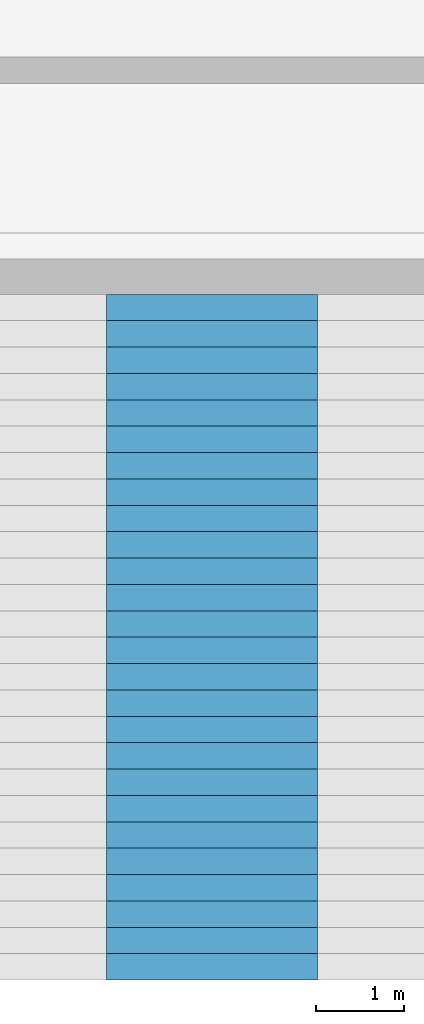
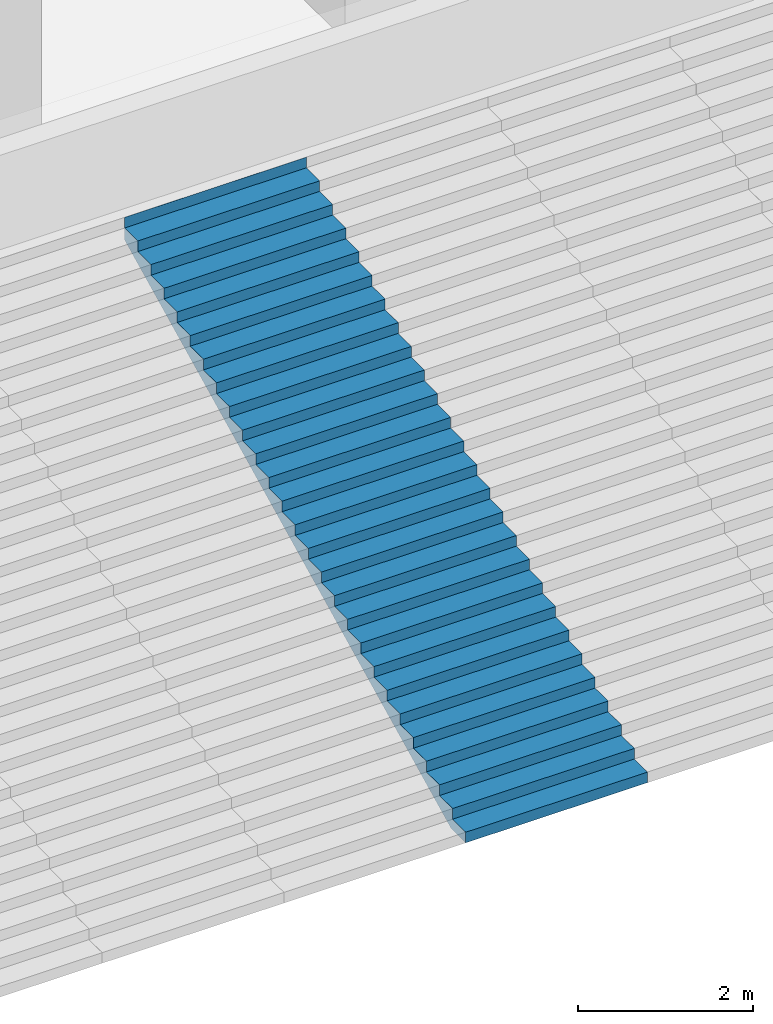
# One storey, part 26 of 45: 1 stair flight, 1 element without a shape of its own.
"""IFC4 building model written with IfcOpenShell, lengths in metres."""

from ifc_helpers import new_model, si_unit, direction, frame, origin, place, context, subcontext, project, spatial, triangles, material, type_object, element, aggregate, save


model = new_model("IFC4")

# Units and contexts
model_context = context("Model", 3, precision=1e-05, world=origin(), true_north=direction((0.0, 1.0)))
body_context = subcontext(model_context, "Body", "Model", "MODEL_VIEW")
ifc_project = project(units=[si_unit("LENGTHUNIT", "METRE"), si_unit("AREAUNIT", "SQUARE_METRE"), si_unit("VOLUMEUNIT", "CUBIC_METRE"), si_unit("PLANEANGLEUNIT", "RADIAN"), si_unit("MASSUNIT", "GRAM", prefix="KILO")], contexts=[model_context])

# Site, building, storey
site_placement = place(None, origin())
site = spatial("IfcSite", under=ifc_project, at=site_placement, CompositionType="ELEMENT")
building_placement = place(site_placement, origin())
building = spatial("IfcBuilding", under=site, at=building_placement, Name="Beryl Residences", CompositionType="ELEMENT")
storey_placement = place(building_placement, frame((0.0, 0.0, 5.0)))
storey = spatial("IfcBuildingStorey", under=building, at=storey_placement, Name="L01", CompositionType="ELEMENT", Elevation=5.0)

# Stair, stair flight
ifc_material_1 = material(Name="Precast concrete C40/50", Category="concrete")
stair_type = type_object("IfcStairType", Name="GS2 garden stair", PredefinedType="STRAIGHT_RUN_STAIR", material=ifc_material_1)
stair_placement = place(storey_placement, origin())
stair = element("IfcStair", 1, at=stair_placement, inside=storey, type_object=stair_type, Name="GS2 garden stair", PredefinedType="STRAIGHT_RUN_STAIR")
ifc_material_2 = material(Name="Precast concrete C40/50", Category="concrete")
stair_flight_type = type_object("IfcStairFlightType", Name="GF2 garden stair flight", PredefinedType="STRAIGHT", material=ifc_material_2)
stair_flight_placement = place(storey_placement, frame((-3.60009765625, -42.199951171875, 0.0), z_axis=(0.0, 0.0, 1.0), x_axis=(0.0, 1.0, 0.0)))
stair_flight = element("IfcStairFlight", 2, at=stair_flight_placement, type_object=stair_flight_type, Name="GS2 flight 4", NumberOfRisers=27, NumberOfTreads=26, PredefinedType="STRAIGHT", RiserHeight=0.148148148, TreadLength=0.3, context=body_context, shape_type="Tessellation", body=[
    triangles([(0.0, -1.199951171875, 0.0), (0.0, -0.60009765625, 0.0), (0.0, 0.0, 0.0), (0.0, 0.60009765625, 0.0), (0.0, 1.199951171875, 0.0), (0.0, -1.199951171875, 0.148193359375), (0.0, -0.60009765625, 0.148193359375), (0.0, 0.0, 0.148193359375), (0.0, 0.60009765625, 0.148193359375), (0.0, 1.199951171875, 0.148193359375), (0.300048828125, -1.199951171875, 0.148193359375), (0.300048828125, -0.60009765625, 0.148193359375), (0.300048828125, 0.0, 0.148193359375), (0.300048828125, 0.60009765625, 0.148193359375), (0.300048828125, 1.199951171875, 0.148193359375), (0.300048828125, -1.199951171875, 0.29638671875), (0.300048828125, -0.60009765625, 0.29638671875), (0.300048828125, 0.0, 0.29638671875), (0.300048828125, 0.60009765625, 0.29638671875), (0.300048828125, 1.199951171875, 0.29638671875), (0.60009765625, -1.199951171875, 0.29638671875), (0.60009765625, -0.60009765625, 0.29638671875), (0.60009765625, 0.0, 0.29638671875), (0.60009765625, 0.60009765625, 0.29638671875), (0.60009765625, 1.199951171875, 0.29638671875), (0.60009765625, -1.199951171875, 0.4443359375), (0.60009765625, -0.60009765625, 0.4443359375), (0.60009765625, 0.0, 0.4443359375), (0.60009765625, 0.60009765625, 0.4443359375), (0.60009765625, 1.199951171875, 0.4443359375), (0.89990234375, -1.199951171875, 0.4443359375), (0.89990234375, -0.60009765625, 0.4443359375), (0.89990234375, 0.0, 0.4443359375), (0.89990234375, 0.60009765625, 0.4443359375), (0.89990234375, 1.199951171875, 0.4443359375), (0.89990234375, -1.199951171875, 0.592529296875), (0.89990234375, -0.60009765625, 0.592529296875), (0.89990234375, 0.0, 0.592529296875), (0.89990234375, 0.60009765625, 0.592529296875), (0.89990234375, 1.199951171875, 0.592529296875), (1.199951171875, -1.199951171875, 0.592529296875), (1.199951171875, -0.60009765625, 0.592529296875), (1.199951171875, 0.0, 0.592529296875), (1.199951171875, 0.60009765625, 0.592529296875), (1.199951171875, 1.199951171875, 0.592529296875), (1.199951171875, -1.199951171875, 0.74072265625), (1.199951171875, -0.60009765625, 0.74072265625), (1.199951171875, 0.0, 0.74072265625), (1.199951171875, 0.60009765625, 0.74072265625), (1.199951171875, 1.199951171875, 0.74072265625), (1.5, -1.199951171875, 0.74072265625), (1.5, -0.60009765625, 0.74072265625), (1.5, 0.0, 0.74072265625), (1.5, 0.60009765625, 0.74072265625), (1.5, 1.199951171875, 0.74072265625), (1.5, -1.199951171875, 0.888916015625), (1.5, -0.60009765625, 0.888916015625), (1.5, 0.0, 0.888916015625), (1.5, 0.60009765625, 0.888916015625), (1.5, 1.199951171875, 0.888916015625), (1.800048828125, -1.199951171875, 0.888916015625), (1.800048828125, -0.60009765625, 0.888916015625), (1.800048828125, 0.0, 0.888916015625), (1.800048828125, 0.60009765625, 0.888916015625), (1.800048828125, 1.199951171875, 0.888916015625), (1.800048828125, -1.199951171875, 1.037109375), (1.800048828125, -0.60009765625, 1.037109375), (1.800048828125, 0.0, 1.037109375), (1.800048828125, 0.60009765625, 1.037109375), (1.800048828125, 1.199951171875, 1.037109375), (2.10009765625, -1.199951171875, 1.037109375), (2.10009765625, -0.60009765625, 1.037109375), (2.10009765625, 0.0, 1.037109375), (2.10009765625, 0.60009765625, 1.037109375), (2.10009765625, 1.199951171875, 1.037109375), (2.10009765625, -1.199951171875, 1.185302734375), (2.10009765625, -0.60009765625, 1.185302734375), (2.10009765625, 0.0, 1.185302734375), (2.10009765625, 0.60009765625, 1.185302734375), (2.10009765625, 1.199951171875, 1.185302734375), (2.39990234375, -1.199951171875, 1.185302734375), (2.39990234375, -0.60009765625, 1.185302734375), (2.39990234375, 0.0, 1.185302734375), (2.39990234375, 0.60009765625, 1.185302734375), (2.39990234375, 1.199951171875, 1.185302734375), (2.39990234375, -1.199951171875, 1.333251953125), (2.39990234375, -0.60009765625, 1.333251953125), (2.39990234375, 0.0, 1.333251953125), (2.39990234375, 0.60009765625, 1.333251953125), (2.39990234375, 1.199951171875, 1.333251953125), (2.699951171875, -1.199951171875, 1.333251953125), (2.699951171875, -0.60009765625, 1.333251953125), (2.699951171875, 0.0, 1.333251953125), (2.699951171875, 0.60009765625, 1.333251953125), (2.699951171875, 1.199951171875, 1.333251953125), (2.699951171875, -1.199951171875, 1.4814453125), (2.699951171875, -0.60009765625, 1.4814453125), (2.699951171875, 0.0, 1.4814453125), (2.699951171875, 0.60009765625, 1.4814453125), (2.699951171875, 1.199951171875, 1.4814453125), (3.0, -1.199951171875, 1.4814453125), (3.0, -0.60009765625, 1.4814453125), (3.0, 0.0, 1.4814453125), (3.0, 0.60009765625, 1.4814453125), (3.0, 1.199951171875, 1.4814453125), (3.0, -1.199951171875, 1.629638671875), (3.0, -0.60009765625, 1.629638671875), (3.0, 0.0, 1.629638671875), (3.0, 0.60009765625, 1.629638671875), (3.0, 1.199951171875, 1.629638671875), (3.300048828125, -1.199951171875, 1.629638671875), (3.300048828125, -0.60009765625, 1.629638671875), (3.300048828125, 0.0, 1.629638671875), (3.300048828125, 0.60009765625, 1.629638671875), (3.300048828125, 1.199951171875, 1.629638671875), (3.300048828125, -1.199951171875, 1.77783203125), (3.300048828125, -0.60009765625, 1.77783203125), (3.300048828125, 0.0, 1.77783203125), (3.300048828125, 0.60009765625, 1.77783203125), (3.300048828125, 1.199951171875, 1.77783203125), (3.60009765625, -1.199951171875, 1.77783203125), (3.60009765625, -0.60009765625, 1.77783203125), (3.60009765625, 0.0, 1.77783203125), (3.60009765625, 0.60009765625, 1.77783203125), (3.60009765625, 1.199951171875, 1.77783203125), (3.60009765625, -1.199951171875, 1.926025390625), (3.60009765625, -0.60009765625, 1.926025390625), (3.60009765625, 0.0, 1.926025390625), (3.60009765625, 0.60009765625, 1.926025390625), (3.60009765625, 1.199951171875, 1.926025390625), (3.89990234375, -1.199951171875, 1.926025390625), (3.89990234375, -0.60009765625, 1.926025390625), (3.89990234375, 0.0, 1.926025390625), (3.89990234375, 0.60009765625, 1.926025390625), (3.89990234375, 1.199951171875, 1.926025390625), (3.89990234375, -1.199951171875, 2.073974609375), (3.89990234375, -0.60009765625, 2.073974609375), (3.89990234375, 0.0, 2.073974609375), (3.89990234375, 0.60009765625, 2.073974609375), (3.89990234375, 1.199951171875, 2.073974609375), (4.199951171875, -1.199951171875, 2.073974609375), (4.199951171875, -0.60009765625, 2.073974609375), (4.199951171875, 0.0, 2.073974609375), (4.199951171875, 0.60009765625, 2.073974609375), (4.199951171875, 1.199951171875, 2.073974609375), (4.199951171875, -1.199951171875, 2.22216796875), (4.199951171875, -0.60009765625, 2.22216796875), (4.199951171875, 0.0, 2.22216796875), (4.199951171875, 0.60009765625, 2.22216796875), (4.199951171875, 1.199951171875, 2.22216796875), (4.5, -1.199951171875, 2.22216796875), (4.5, -0.60009765625, 2.22216796875), (4.5, 0.0, 2.22216796875), (4.5, 0.60009765625, 2.22216796875), (4.5, 1.199951171875, 2.22216796875), (4.5, -1.199951171875, 2.370361328125), (4.5, -0.60009765625, 2.370361328125), (4.5, 0.0, 2.370361328125), (4.5, 0.60009765625, 2.370361328125), (4.5, 1.199951171875, 2.370361328125), (4.800048828125, -1.199951171875, 2.370361328125), (4.800048828125, -0.60009765625, 2.370361328125), (4.800048828125, 0.0, 2.370361328125), (4.800048828125, 0.60009765625, 2.370361328125), (4.800048828125, 1.199951171875, 2.370361328125), (4.800048828125, -1.199951171875, 2.5185546875), (4.800048828125, -0.60009765625, 2.5185546875), (4.800048828125, 0.0, 2.5185546875), (4.800048828125, 0.60009765625, 2.5185546875), (4.800048828125, 1.199951171875, 2.5185546875), (5.10009765625, -1.199951171875, 2.5185546875), (5.10009765625, -0.60009765625, 2.5185546875), (5.10009765625, 0.0, 2.5185546875), (5.10009765625, 0.60009765625, 2.5185546875), (5.10009765625, 1.199951171875, 2.5185546875), (5.10009765625, -1.199951171875, 2.666748046875), (5.10009765625, -0.60009765625, 2.666748046875), (5.10009765625, 0.0, 2.666748046875), (5.10009765625, 0.60009765625, 2.666748046875), (5.10009765625, 1.199951171875, 2.666748046875), (5.39990234375, -1.199951171875, 2.666748046875), (5.39990234375, -0.60009765625, 2.666748046875), (5.39990234375, 0.0, 2.666748046875), (5.39990234375, 0.60009765625, 2.666748046875), (5.39990234375, 1.199951171875, 2.666748046875), (5.39990234375, -1.199951171875, 2.814697265625), (5.39990234375, -0.60009765625, 2.814697265625), (5.39990234375, 0.0, 2.814697265625), (5.39990234375, 0.60009765625, 2.814697265625), (5.39990234375, 1.199951171875, 2.814697265625), (5.699951171875, -1.199951171875, 2.814697265625), (5.699951171875, -0.60009765625, 2.814697265625), (5.699951171875, 0.0, 2.814697265625), (5.699951171875, 0.60009765625, 2.814697265625), (5.699951171875, 1.199951171875, 2.814697265625), (5.699951171875, -1.199951171875, 2.962890625), (5.699951171875, -0.60009765625, 2.962890625), (5.699951171875, 0.0, 2.962890625), (5.699951171875, 0.60009765625, 2.962890625), (5.699951171875, 1.199951171875, 2.962890625), (6.0, -1.199951171875, 2.962890625), (6.0, -0.60009765625, 2.962890625), (6.0, 0.0, 2.962890625), (6.0, 0.60009765625, 2.962890625), (6.0, 1.199951171875, 2.962890625), (6.0, -1.199951171875, 3.111083984375), (6.0, -0.60009765625, 3.111083984375), (6.0, 0.0, 3.111083984375), (6.0, 0.60009765625, 3.111083984375), (6.0, 1.199951171875, 3.111083984375), (6.300048828125, -1.199951171875, 3.111083984375), (6.300048828125, -0.60009765625, 3.111083984375), (6.300048828125, 0.0, 3.111083984375), (6.300048828125, 0.60009765625, 3.111083984375), (6.300048828125, 1.199951171875, 3.111083984375), (6.300048828125, -1.199951171875, 3.25927734375), (6.300048828125, -0.60009765625, 3.25927734375), (6.300048828125, 0.0, 3.25927734375), (6.300048828125, 0.60009765625, 3.25927734375), (6.300048828125, 1.199951171875, 3.25927734375), (6.60009765625, -1.199951171875, 3.25927734375), (6.60009765625, -0.60009765625, 3.25927734375), (6.60009765625, 0.0, 3.25927734375), (6.60009765625, 0.60009765625, 3.25927734375), (6.60009765625, 1.199951171875, 3.25927734375), (6.60009765625, -1.199951171875, 3.407470703125), (6.60009765625, -0.60009765625, 3.407470703125), (6.60009765625, 0.0, 3.407470703125), (6.60009765625, 0.60009765625, 3.407470703125), (6.60009765625, 1.199951171875, 3.407470703125), (6.89990234375, -1.199951171875, 3.407470703125), (6.89990234375, -0.60009765625, 3.407470703125), (6.89990234375, 0.0, 3.407470703125), (6.89990234375, 0.60009765625, 3.407470703125), (6.89990234375, 1.199951171875, 3.407470703125), (6.89990234375, -1.199951171875, 3.5556640625), (6.89990234375, -0.60009765625, 3.5556640625), (6.89990234375, 0.0, 3.5556640625), (6.89990234375, 0.60009765625, 3.5556640625), (6.89990234375, 1.199951171875, 3.5556640625), (7.199951171875, -1.199951171875, 3.5556640625), (7.199951171875, -0.60009765625, 3.5556640625), (7.199951171875, 0.0, 3.5556640625), (7.199951171875, 0.60009765625, 3.5556640625), (7.199951171875, 1.199951171875, 3.5556640625), (7.199951171875, -1.199951171875, 3.70361328125), (7.199951171875, -0.60009765625, 3.70361328125), (7.199951171875, 0.0, 3.70361328125), (7.199951171875, 0.60009765625, 3.70361328125), (7.199951171875, 1.199951171875, 3.70361328125), (7.5, -1.199951171875, 3.70361328125), (7.5, -0.60009765625, 3.70361328125), (7.5, 0.0, 3.70361328125), (7.5, 0.60009765625, 3.70361328125), (7.5, 1.199951171875, 3.70361328125), (7.5, -1.199951171875, 3.851806640625), (7.5, -0.60009765625, 3.851806640625), (7.5, 0.0, 3.851806640625), (7.5, 0.60009765625, 3.851806640625), (7.5, 1.199951171875, 3.851806640625), (7.800048828125, -1.199951171875, 3.851806640625), (7.800048828125, -0.60009765625, 3.851806640625), (7.800048828125, 0.0, 3.851806640625), (7.800048828125, 0.60009765625, 3.851806640625), (7.800048828125, 1.199951171875, 3.851806640625), (7.800048828125, -1.199951171875, 4.0), (7.800048828125, -0.60009765625, 4.0), (7.800048828125, 0.0, 4.0), (7.800048828125, 0.60009765625, 4.0), (7.800048828125, 1.199951171875, 4.0), (7.801025390625, -1.199951171875, 4.0), (7.801025390625, -0.60009765625, 4.0), (7.801025390625, 0.0, 4.0), (7.801025390625, 0.60009765625, 4.0), (7.801025390625, 1.199951171875, 4.0), (7.801025390625, -1.199951171875, 3.6845703125), (7.801025390625, -0.60009765625, 3.6845703125), (7.801025390625, 0.0, 3.6845703125), (7.801025390625, 0.60009765625, 3.6845703125), (7.801025390625, 1.199951171875, 3.6845703125), (0.339599609375, -1.199951171875, 0.0), (0.339599609375, -0.60009765625, 0.0), (0.339599609375, 0.0, 0.0), (0.339599609375, 0.60009765625, 0.0), (0.339599609375, 1.199951171875, 0.0)], [[1, 6, 7], [1, 7, 2], [2, 7, 8], [2, 8, 3], [3, 8, 9], [3, 9, 4], [4, 9, 10], [4, 10, 5], [6, 11, 12], [6, 12, 7], [7, 12, 13], [7, 13, 8], [8, 13, 14], [8, 14, 9], [9, 14, 15], [9, 15, 10], [11, 16, 17], [11, 17, 12], [12, 17, 18], [12, 18, 13], [13, 18, 19], [13, 19, 14], [14, 19, 20], [14, 20, 15], [16, 21, 22], [16, 22, 17], [17, 22, 23], [17, 23, 18], [18, 23, 24], [18, 24, 19], [19, 24, 25], [19, 25, 20], [21, 26, 27], [21, 27, 22], [22, 27, 28], [22, 28, 23], [23, 28, 29], [23, 29, 24], [24, 29, 30], [24, 30, 25], [26, 31, 32], [26, 32, 27], [27, 32, 33], [27, 33, 28], [28, 33, 34], [28, 34, 29], [29, 34, 35], [29, 35, 30], [31, 36, 37], [31, 37, 32], [32, 37, 38], [32, 38, 33], [33, 38, 39], [33, 39, 34], [34, 39, 40], [34, 40, 35], [36, 41, 42], [36, 42, 37], [37, 42, 43], [37, 43, 38], [38, 43, 44], [38, 44, 39], [39, 44, 45], [39, 45, 40], [41, 46, 47], [41, 47, 42], [42, 47, 48], [42, 48, 43], [43, 48, 49], [43, 49, 44], [44, 49, 50], [44, 50, 45], [46, 51, 52], [46, 52, 47], [47, 52, 53], [47, 53, 48], [48, 53, 54], [48, 54, 49], [49, 54, 55], [49, 55, 50], [51, 56, 57], [51, 57, 52], [52, 57, 58], [52, 58, 53], [53, 58, 59], [53, 59, 54], [54, 59, 60], [54, 60, 55], [56, 61, 62], [56, 62, 57], [57, 62, 63], [57, 63, 58], [58, 63, 64], [58, 64, 59], [59, 64, 65], [59, 65, 60], [61, 66, 67], [61, 67, 62], [62, 67, 68], [62, 68, 63], [63, 68, 69], [63, 69, 64], [64, 69, 70], [64, 70, 65], [66, 71, 72], [66, 72, 67], [67, 72, 73], [67, 73, 68], [68, 73, 74], [68, 74, 69], [69, 74, 75], [69, 75, 70], [71, 76, 77], [71, 77, 72], [72, 77, 78], [72, 78, 73], [73, 78, 79], [73, 79, 74], [74, 79, 80], [74, 80, 75], [76, 81, 82], [76, 82, 77], [77, 82, 83], [77, 83, 78], [78, 83, 84], [78, 84, 79], [79, 84, 85], [79, 85, 80], [81, 86, 87], [81, 87, 82], [82, 87, 88], [82, 88, 83], [83, 88, 89], [83, 89, 84], [84, 89, 90], [84, 90, 85], [86, 91, 92], [86, 92, 87], [87, 92, 93], [87, 93, 88], [88, 93, 94], [88, 94, 89], [89, 94, 95], [89, 95, 90], [91, 96, 97], [91, 97, 92], [92, 97, 98], [92, 98, 93], [93, 98, 99], [93, 99, 94], [94, 99, 100], [94, 100, 95], [96, 101, 102], [96, 102, 97], [97, 102, 103], [97, 103, 98], [98, 103, 104], [98, 104, 99], [99, 104, 105], [99, 105, 100], [101, 106, 107], [101, 107, 102], [102, 107, 108], [102, 108, 103], [103, 108, 109], [103, 109, 104], [104, 109, 110], [104, 110, 105], [106, 111, 112], [106, 112, 107], [107, 112, 113], [107, 113, 108], [108, 113, 114], [108, 114, 109], [109, 114, 115], [109, 115, 110], [111, 116, 117], [111, 117, 112], [112, 117, 118], [112, 118, 113], [113, 118, 119], [113, 119, 114], [114, 119, 120], [114, 120, 115], [116, 121, 122], [116, 122, 117], [117, 122, 123], [117, 123, 118], [118, 123, 124], [118, 124, 119], [119, 124, 125], [119, 125, 120], [121, 126, 127], [121, 127, 122], [122, 127, 128], [122, 128, 123], [123, 128, 129], [123, 129, 124], [124, 129, 130], [124, 130, 125], [126, 131, 132], [126, 132, 127], [127, 132, 133], [127, 133, 128], [128, 133, 134], [128, 134, 129], [129, 134, 135], [129, 135, 130], [131, 136, 137], [131, 137, 132], [132, 137, 138], [132, 138, 133], [133, 138, 139], [133, 139, 134], [134, 139, 140], [134, 140, 135], [136, 141, 142], [136, 142, 137], [137, 142, 143], [137, 143, 138], [138, 143, 144], [138, 144, 139], [139, 144, 145], [139, 145, 140], [141, 146, 147], [141, 147, 142], [142, 147, 148], [142, 148, 143], [143, 148, 149], [143, 149, 144], [144, 149, 150], [144, 150, 145], [146, 151, 152], [146, 152, 147], [147, 152, 153], [147, 153, 148], [148, 153, 154], [148, 154, 149], [149, 154, 155], [149, 155, 150], [151, 156, 157], [151, 157, 152], [152, 157, 158], [152, 158, 153], [153, 158, 159], [153, 159, 154], [154, 159, 160], [154, 160, 155], [156, 161, 162], [156, 162, 157], [157, 162, 163], [157, 163, 158], [158, 163, 164], [158, 164, 159], [159, 164, 165], [159, 165, 160], [161, 166, 167], [161, 167, 162], [162, 167, 168], [162, 168, 163], [163, 168, 169], [163, 169, 164], [164, 169, 170], [164, 170, 165], [166, 171, 172], [166, 172, 167], [167, 172, 173], [167, 173, 168], [168, 173, 174], [168, 174, 169], [169, 174, 175], [169, 175, 170], [171, 176, 177], [171, 177, 172], [172, 177, 178], [172, 178, 173], [173, 178, 179], [173, 179, 174], [174, 179, 180], [174, 180, 175], [176, 181, 182], [176, 182, 177], [177, 182, 183], [177, 183, 178], [178, 183, 184], [178, 184, 179], [179, 184, 185], [179, 185, 180], [181, 186, 187], [181, 187, 182], [182, 187, 188], [182, 188, 183], [183, 188, 189], [183, 189, 184], [184, 189, 190], [184, 190, 185], [186, 191, 192], [186, 192, 187], [187, 192, 193], [187, 193, 188], [188, 193, 194], [188, 194, 189], [189, 194, 195], [189, 195, 190], [191, 196, 197], [191, 197, 192], [192, 197, 198], [192, 198, 193], [193, 198, 199], [193, 199, 194], [194, 199, 200], [194, 200, 195], [196, 201, 202], [196, 202, 197], [197, 202, 203], [197, 203, 198], [198, 203, 204], [198, 204, 199], [199, 204, 205], [199, 205, 200], [201, 206, 207], [201, 207, 202], [202, 207, 208], [202, 208, 203], [203, 208, 209], [203, 209, 204], [204, 209, 210], [204, 210, 205], [206, 211, 212], [206, 212, 207], [207, 212, 213], [207, 213, 208], [208, 213, 214], [208, 214, 209], [209, 214, 215], [209, 215, 210], [211, 216, 217], [211, 217, 212], [212, 217, 218], [212, 218, 213], [213, 218, 219], [213, 219, 214], [214, 219, 220], [214, 220, 215], [216, 221, 222], [216, 222, 217], [217, 222, 223], [217, 223, 218], [218, 223, 224], [218, 224, 219], [219, 224, 225], [219, 225, 220], [221, 226, 227], [221, 227, 222], [222, 227, 228], [222, 228, 223], [223, 228, 229], [223, 229, 224], [224, 229, 230], [224, 230, 225], [226, 231, 232], [226, 232, 227], [227, 232, 233], [227, 233, 228], [228, 233, 234], [228, 234, 229], [229, 234, 235], [229, 235, 230], [231, 236, 237], [231, 237, 232], [232, 237, 238], [232, 238, 233], [233, 238, 239], [233, 239, 234], [234, 239, 240], [234, 240, 235], [236, 241, 242], [236, 242, 237], [237, 242, 243], [237, 243, 238], [238, 243, 244], [238, 244, 239], [239, 244, 245], [239, 245, 240], [241, 246, 247], [241, 247, 242], [242, 247, 248], [242, 248, 243], [243, 248, 249], [243, 249, 244], [244, 249, 250], [244, 250, 245], [246, 251, 252], [246, 252, 247], [247, 252, 253], [247, 253, 248], [248, 253, 254], [248, 254, 249], [249, 254, 255], [249, 255, 250], [251, 256, 257], [251, 257, 252], [252, 257, 258], [252, 258, 253], [253, 258, 259], [253, 259, 254], [254, 259, 260], [254, 260, 255], [256, 261, 262], [256, 262, 257], [257, 262, 263], [257, 263, 258], [258, 263, 264], [258, 264, 259], [259, 264, 265], [259, 265, 260], [261, 266, 267], [261, 267, 262], [262, 267, 268], [262, 268, 263], [263, 268, 269], [263, 269, 264], [264, 269, 270], [264, 270, 265], [266, 271, 272], [266, 272, 267], [267, 272, 273], [267, 273, 268], [268, 273, 274], [268, 274, 269], [269, 274, 275], [269, 275, 270], [271, 276, 277], [271, 277, 272], [272, 277, 278], [272, 278, 273], [273, 278, 279], [273, 279, 274], [274, 279, 280], [274, 280, 275], [276, 281, 282], [276, 282, 277], [277, 282, 283], [277, 283, 278], [278, 283, 284], [278, 284, 279], [279, 284, 285], [279, 285, 280], [281, 1, 2], [281, 2, 282], [282, 2, 3], [282, 3, 283], [283, 3, 4], [283, 4, 284], [284, 4, 5], [284, 5, 285], [1, 281, 276], [5, 280, 285], [276, 271, 266], [280, 270, 275], [276, 266, 261], [280, 265, 270], [276, 261, 256], [280, 260, 265], [276, 256, 251], [280, 255, 260], [276, 251, 246], [280, 250, 255], [276, 246, 241], [280, 245, 250], [241, 236, 231], [245, 235, 240], [276, 241, 231], [280, 235, 245], [231, 226, 221], [235, 225, 230], [276, 231, 221], [280, 225, 235], [221, 216, 211], [225, 215, 220], [276, 221, 211], [280, 215, 225], [211, 206, 201], [215, 205, 210], [276, 211, 201], [280, 205, 215], [201, 196, 191], [205, 195, 200], [276, 201, 191], [280, 195, 205], [191, 186, 181], [195, 185, 190], [276, 191, 181], [280, 185, 195], [181, 176, 171], [185, 175, 180], [276, 181, 171], [280, 175, 185], [171, 166, 161], [175, 165, 170], [276, 171, 161], [280, 165, 175], [161, 156, 151], [165, 155, 160], [276, 161, 151], [280, 155, 165], [151, 146, 141], [155, 145, 150], [276, 151, 141], [280, 145, 155], [141, 136, 131], [145, 135, 140], [276, 141, 131], [280, 135, 145], [131, 126, 121], [135, 125, 130], [276, 131, 121], [280, 125, 135], [121, 116, 111], [125, 115, 120], [276, 121, 111], [280, 115, 125], [111, 106, 101], [115, 105, 110], [276, 111, 101], [280, 105, 115], [101, 96, 91], [105, 95, 100], [276, 101, 91], [280, 95, 105], [91, 86, 81], [95, 85, 90], [276, 91, 81], [280, 85, 95], [81, 76, 71], [85, 75, 80], [276, 81, 71], [280, 75, 85], [71, 66, 61], [75, 65, 70], [276, 71, 61], [280, 65, 75], [61, 56, 51], [65, 55, 60], [276, 61, 51], [280, 55, 65], [51, 46, 41], [55, 45, 50], [276, 51, 41], [280, 45, 55], [41, 36, 31], [45, 35, 40], [276, 41, 31], [280, 35, 45], [1, 276, 31], [5, 35, 280], [31, 26, 21], [35, 25, 30], [21, 16, 11], [25, 15, 20], [31, 21, 11], [35, 15, 25], [1, 31, 11], [5, 15, 35], [11, 6, 1], [15, 5, 10]], closed=True),
])
aggregate(stair, [stair_flight])

save(model, "model.ifc")
